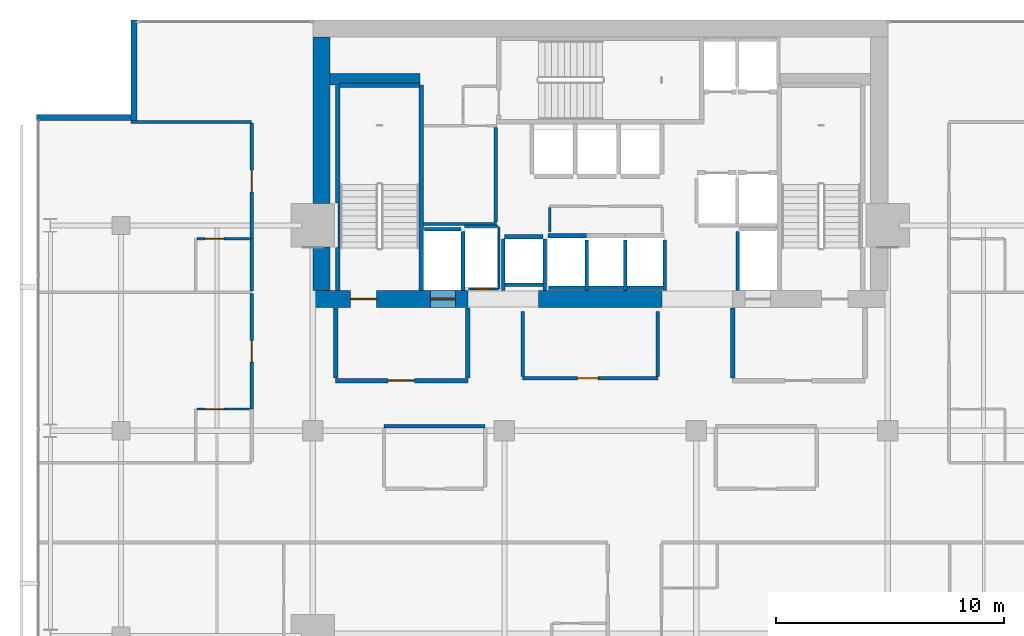
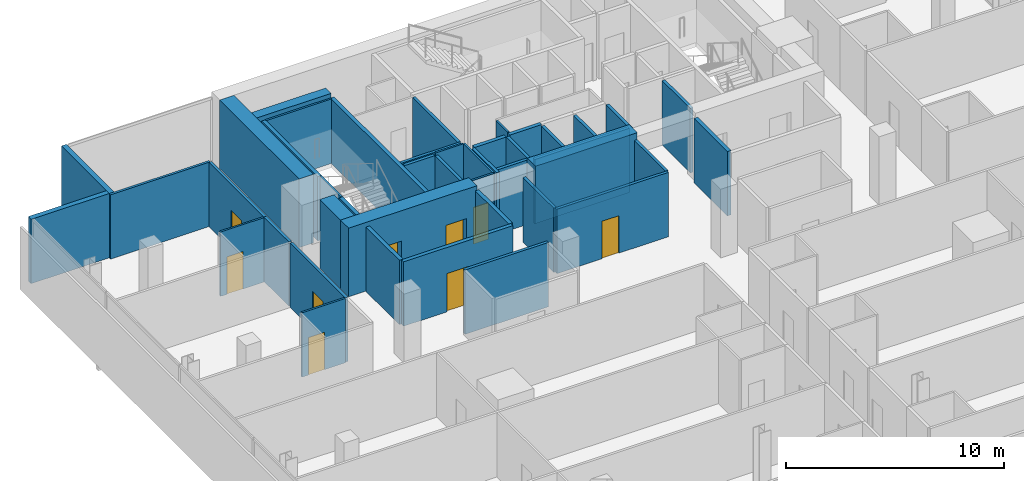
# One storey, part 29 of 33: 44 walls, 9 doors, 9 openings.
"""IFC4 building model written with IfcOpenShell, lengths in metres."""

import ifcopenshell
import ifcopenshell.guid

model = None  # the IFC model being written
_history = None  # IfcOwnerHistory: only IFC2X3 demands one
_inside = {}  # id of a spatial element -> (the spatial element, [elements in it])
_under = {}  # id of a project, library or spatial element -> (it, [spatial elements below it])
_declared = {}  # id of a project -> (the project, [libraries it declares])
_typed = {}  # id of a type object -> (the type object, [elements of that type])
_made_of = {}  # id of a material, layer set ... -> (it, [elements and type objects made of it])


def new_model(schema):
    """Start an empty IFC model of exactly this schema.

    Asked for "IFC4X3", IfcOpenShell would pick the latest addendum, in which some entities
    have other attributes; the version numbers below select the first issue.
    IFC2X3 requires an IfcOwnerHistory on every rooted entity: one is made here for all.
    """
    global model, _history
    if schema == "IFC4X3":
        model = ifcopenshell.file(schema_version=(4, 3, 0, 0))
    else:
        model = ifcopenshell.file(schema=schema)
    _inside.clear()
    _under.clear()
    _declared.clear()
    _typed.clear()
    _made_of.clear()
    _history = None
    if model.schema == "IFC2X3":
        org = make("IfcOrganization", Name="unknown")
        user = make(
            "IfcPersonAndOrganization",
            ThePerson=make("IfcPerson", FamilyName="unknown"),
            TheOrganization=org,
        )
        app = make(
            "IfcApplication",
            ApplicationDeveloper=org,
            Version="unknown",
            ApplicationFullName="unknown",
            ApplicationIdentifier="unknown",
        )
        _history = make(
            "IfcOwnerHistory",
            OwningUser=user,
            OwningApplication=app,
            ChangeAction="ADDED",
            CreationDate=0,
        )
    return model


def make(cls, **values):
    """One entity of the class cls with the attributes given. An attribute that is None is left unset."""
    return model.create_entity(
        cls, **{name: value for name, value in values.items() if value is not None}
    )


def rooted(cls, **values):
    """An entity with a GlobalId (a new one), such as an element, a storey or a relation."""
    return make(cls, GlobalId=ifcopenshell.guid.new(), OwnerHistory=_history, **values)


def si_unit(unit_type, name, prefix=None):
    """IfcSIUnit, for example si_unit("LENGTHUNIT", "METRE", prefix="MILLI")."""
    return make("IfcSIUnit", UnitType=unit_type, Prefix=prefix, Name=name)


def assignment(units):
    """IfcUnitAssignment: the units of a project."""
    return None if units is None else make("IfcUnitAssignment", Units=units)


def point(xyz):
    """IfcCartesianPoint."""
    return None if xyz is None else make("IfcCartesianPoint", Coordinates=xyz)


def direction(xyz):
    """IfcDirection."""
    return None if xyz is None else make("IfcDirection", DirectionRatios=xyz)


def frame(location, z_axis=None, x_axis=None):
    """IfcAxis2Placement3D, a coordinate frame: its origin and axes. An axis left out is left unset."""
    return make(
        "IfcAxis2Placement3D",
        Location=point(location),
        Axis=direction(z_axis),
        RefDirection=direction(x_axis),
    )


def frame_2d(location, x_axis=None):
    """IfcAxis2Placement2D, a coordinate frame in the plane: its origin and x axis."""
    return make(
        "IfcAxis2Placement2D", Location=point(location), RefDirection=direction(x_axis)
    )


def origin():
    """The frame at (0, 0, 0) with its axes left unset."""
    return frame((0.0, 0.0, 0.0))


def place(relative_to, where):
    """IfcLocalPlacement: puts the frame where relative to a parent placement (None: the world)."""
    return make(
        "IfcLocalPlacement", PlacementRelTo=relative_to, RelativePlacement=where
    )


def context(
    kind, dimensions, precision=None, world=None, true_north=None, identifier=None
):
    """IfcGeometricRepresentationContext, for example the 3D "Model" context."""
    return make(
        "IfcGeometricRepresentationContext",
        ContextIdentifier=identifier,
        ContextType=kind,
        CoordinateSpaceDimension=dimensions,
        Precision=precision,
        WorldCoordinateSystem=world,
        TrueNorth=true_north,
    )


def subcontext(parent, identifier, kind, view, scale=None):
    """IfcGeometricRepresentationSubContext, for example "Body" below "Model"."""
    return make(
        "IfcGeometricRepresentationSubContext",
        ContextIdentifier=identifier,
        ContextType=kind,
        ParentContext=parent,
        TargetScale=scale,
        TargetView=view,
    )


def project(units=None, contexts=None):
    """IfcProject with its units and contexts."""
    return rooted(
        "IfcProject",
        Name="project",
        RepresentationContexts=contexts,
        UnitsInContext=assignment(units),
    )


def spatial(cls, under=None, at=None, **own):
    """A site, building, storey or space (cls), placed at a placement, below another one or the project."""
    s = rooted(cls, ObjectPlacement=at, **own)
    if under is not None:
        _under.setdefault(under.id(), (under, []))[1].append(s)
    return s


def profile(cls, at=None, kind="AREA", **sizes):
    """A parametric profile (cls). Its sizes go by their IFC names, for example OverallWidth=200.0."""
    return make(cls, ProfileType=kind, Position=at, **sizes)


def rectangle(**sizes):
    """IfcRectangleProfileDef."""
    return profile("IfcRectangleProfileDef", **sizes)


def extrude(swept, where, along, depth):
    """IfcExtrudedAreaSolid: the profile swept, set in the frame where, extruded along a direction by depth."""
    return make(
        "IfcExtrudedAreaSolid",
        SweptArea=swept,
        Position=where,
        ExtrudedDirection=direction(along),
        Depth=depth,
    )


def shape(context_of_items, identifier, shape_type, items):
    """IfcShapeRepresentation: the items that make up one representation, for example the "Body"."""
    return make(
        "IfcShapeRepresentation",
        ContextOfItems=context_of_items,
        RepresentationIdentifier=identifier,
        RepresentationType=shape_type,
        Items=items,
    )


def material(Name=None, Category=None):
    """IfcMaterial."""
    return make("IfcMaterial", Name=Name, Category=Category)


def layer(
    of_material, thickness, ventilated=None, Name=None, Category=None, Priority=None
):
    """IfcMaterialLayer: one layer of a wall or slab, of a material (None: an air gap)."""
    return make(
        "IfcMaterialLayer",
        Material=of_material,
        LayerThickness=thickness,
        IsVentilated=ventilated,
        Name=Name,
        Category=Category,
        Priority=Priority,
    )


def layer_set(layers, Name=None):
    """IfcMaterialLayerSet."""
    return make("IfcMaterialLayerSet", MaterialLayers=layers, LayerSetName=Name)


def made_of(thing, what):
    """Note that an element or type object is made of a material, layer set ...; save() writes the relation."""
    if what is not None:
        _made_of.setdefault(what.id(), (what, []))[1].append(thing)
    return thing


def type_object(cls, material=None, **own):
    """A type object (cls), such as IfcWallType, which elements share."""
    return made_of(rooted(cls, **own), material)


def element(
    cls,
    number,
    at=None,
    inside=None,
    cuts=None,
    type_object=None,
    material=None,
    context=None,
    identifier="Body",
    shape_type=None,
    held_by="IfcProductDefinitionShape",
    body=None,
    shapes=None,
    **own,
):
    """One element of the class cls, such as IfcWall. Its Tag is "e" and its number.

    at: its placement. inside: the storey or other place that contains it. cuts: it is an
    opening in that element (IfcRelVoidsElement). A single representation is given by context,
    identifier, shape_type and body (its items); several are given by shapes. held_by: the class
    of the entity that holds the representations. save() writes the other relations.
    """
    e = rooted(cls, Tag="e%d" % number, ObjectPlacement=at, **own)
    if body is not None:
        shapes = [shape(context, identifier, shape_type, body)]
    if shapes is not None:
        e.Representation = make(held_by, Representations=shapes)
    if inside is not None:
        _inside.setdefault(inside.id(), (inside, []))[1].append(e)
    if cuts is not None:
        rooted(
            "IfcRelVoidsElement", RelatingBuildingElement=cuts, RelatedOpeningElement=e
        )
    if type_object is not None:
        _typed.setdefault(type_object.id(), (type_object, []))[1].append(e)
    return made_of(e, material)


def fill(opening, filler):
    """IfcRelFillsElement: the door or window that sits in an opening."""
    return rooted(
        "IfcRelFillsElement",
        RelatingOpeningElement=opening,
        RelatedBuildingElement=filler,
    )


def aggregate(whole, parts):
    """IfcRelAggregates: a whole, such as a stair, and the parts it consists of."""
    return rooted("IfcRelAggregates", RelatingObject=whole, RelatedObjects=parts)


def save(model, path):
    """Write the relations noted so far, then the file.

    IfcRelAggregates (storeys below a building ...), IfcRelContainedInSpatialStructure (elements
    in a storey), IfcRelDefinesByType, IfcRelAssociatesMaterial and IfcRelDeclares: one each for
    every whole, place, type object, material and project.
    """
    for whole, parts in _under.values():
        aggregate(whole, parts)
    for where, things in _inside.values():
        rooted(
            "IfcRelContainedInSpatialStructure",
            RelatedElements=things,
            RelatingStructure=where,
        )
    for kind, things in _typed.values():
        rooted("IfcRelDefinesByType", RelatedObjects=things, RelatingType=kind)
    for what, things in _made_of.values():
        rooted("IfcRelAssociatesMaterial", RelatedObjects=things, RelatingMaterial=what)
    for by, libraries in _declared.values():
        rooted("IfcRelDeclares", RelatingContext=by, RelatedDefinitions=libraries)
    model.write(path)


model = new_model("IFC4")

# Units and contexts
model_context = context("Model", 3, precision=1e-05, world=origin(), true_north=direction((0.0, 1.0)))
body_context = subcontext(model_context, "Body", "Model", "MODEL_VIEW")
ifc_project = project(units=[si_unit("LENGTHUNIT", "METRE"), si_unit("AREAUNIT", "SQUARE_METRE"), si_unit("VOLUMEUNIT", "CUBIC_METRE"), si_unit("PLANEANGLEUNIT", "RADIAN"), si_unit("MASSUNIT", "GRAM", prefix="KILO")], contexts=[model_context])

# Site, building, storey
site_placement = place(None, origin())
site = spatial("IfcSite", under=ifc_project, at=site_placement, CompositionType="ELEMENT")
building_placement = place(site_placement, origin())
building = spatial("IfcBuilding", under=site, at=building_placement, Name="Maruvema Waterfront Hotel and Observation Tower", CompositionType="ELEMENT")
storey_placement = place(building_placement, frame((0.0, 0.0, 150.5)))
storey = spatial("IfcBuildingStorey", under=building, at=storey_placement, Name="L36", CompositionType="ELEMENT", Elevation=150.5)

# Walls
ifc_material_1 = material(Name="Twin-stud acoustic gypsum drywall", Category="gypsum")
ifc_layer_1 = layer(ifc_material_1, 0.14990234375, Name="Acoustic Corridor and Suite Demising Wall 150 mm")
ifc_layer_set_1 = layer_set([ifc_layer_1], Name="Twin-stud acoustic gypsum drywall")
wall_type_1 = type_object("IfcWallType", Name="Acoustic Corridor and Suite Demising Wall 150 mm", PredefinedType="PARTITIONING", material=ifc_layer_set_1)
wall_1_placement = place(storey_placement, frame((30.06005859375, 45.06005859375, 0.0), z_axis=(0.0, 0.0, 1.0), x_axis=(1.0, 0.0, 0.0)))
element("IfcWall", 1, at=wall_1_placement, inside=storey, type_object=wall_type_1, Name="L36 Freed B1 South Wall 013", PredefinedType="PARTITIONING", context=body_context, shape_type="SweptSolid", body=[
    extrude(rectangle(XDim=3.179931640625, YDim=0.14990234375, at=frame_2d((1.58984375, 0.0))), origin(), (0.0, 0.0, 1.0), 3.610107421875),
])
wall_2_placement = place(storey_placement, frame((33.219970703125, 45.139892578125, 0.0), z_axis=(0.0, 0.0, 1.0), x_axis=(0.0, 1.0, 0.0)))
element("IfcWall", 2, at=wall_2_placement, inside=storey, type_object=wall_type_1, Name="L36 Freed B1 East Wall 014", PredefinedType="PARTITIONING", context=body_context, shape_type="SweptSolid", body=[
    extrude(rectangle(XDim=4.16015625, YDim=0.14990234375, at=frame_2d((2.080078125, 0.0))), origin(), (0.0, 0.0, 1.0), 3.610107421875),
])

# Wall, opening, door
wall_3_placement = place(storey_placement, frame((34.39990234375, 38.300048828125, 0.0), z_axis=(0.0, 0.0, 1.0), x_axis=(1.0, 0.0, 0.0)))
wall_3 = element("IfcWall", 3, at=wall_3_placement, inside=storey, type_object=wall_type_1, Name="L36 Core Apron K0 South 018", PredefinedType="PARTITIONING", context=body_context, shape_type="SweptSolid", body=[
    extrude(rectangle(XDim=5.920166015625, YDim=0.14990234375, at=frame_2d((2.9599609375, 0.0))), origin(), (0.0, 0.0, 1.0), 3.610107421875),
])
opening_1_placement = place(wall_3_placement, frame((2.39990234375, 0.0, 0.0)))
opening_1 = element("IfcOpeningElement", 4, at=opening_1_placement, cuts=wall_3, Name="Opening DR-090", PredefinedType="OPENING", context=body_context, shape_type="SweptSolid", body=[
    extrude(rectangle(XDim=0.89990234375, YDim=2.10009765625, at=frame_2d((0.449951171875, 1.050048828125))), frame((0.0, 0.0849609375, 0.0), z_axis=(0.0, -1.0, 0.0), x_axis=(1.0, 0.0, 0.0)), (0.0, 0.0, 1.0), 0.169921875),
])
ifc_material_2 = material(Name="Solid-core lacquered timber leaf", Category="wood")
door_type_1 = type_object("IfcDoorType", Name="Accessible Toilet and Room Door 900x2100 mm", OperationType="NOTDEFINED", PredefinedType="DOOR", material=ifc_material_2)
door_1_placement = place(opening_1_placement, frame((0.89990234375, 0.0, 0.0), z_axis=(0.0, 0.0, 1.0), x_axis=(-1.0, 0.0, 0.0)))
door_1 = element("IfcDoor", 5, at=door_1_placement, inside=storey, type_object=door_type_1, Name="L36 Core Valet Room Door", OperationType="SINGLE_SWING_RIGHT", OverallHeight=2.10009765625, OverallWidth=0.89990234375, PredefinedType="DOOR", context=body_context, shape_type="SweptSolid", body=[
    extrude(rectangle(XDim=0.89990234375, YDim=2.10009765625, at=frame_2d((0.449951171875, 1.050048828125))), frame((0.0, 0.02490234375, 0.0), z_axis=(0.0, -1.0, 0.0), x_axis=(1.0, 0.0, 0.0)), (0.0, 0.0, 1.0), 0.050048828125),
])
fill(opening_1, door_1)

# Walls
for number, where, z_axis, x_axis, name in (
    (6, (34.39990234375, 38.3798828125, 0.0), (0.0, 0.0, 1.0), (0.0, 1.0, 0.0), "L36 Core Apron K0 West 019"),
    (7, (40.320068359375, 38.3798828125, 0.0), (0.0, 0.0, 1.0), (0.0, 1.0, 0.0), "L36 Core Apron K0 East 020"),
):
    element("IfcWall", number, at=place(storey_placement, frame(where, z_axis=z_axis, x_axis=x_axis)), inside=storey, type_object=wall_type_1, Name=name, PredefinedType="PARTITIONING", context=body_context, shape_type="SweptSolid", body=[
        extrude(rectangle(XDim=2.840087890625, YDim=0.14990234375, at=frame_2d((1.419921875, 0.0))), origin(), (0.0, 0.0, 1.0), 3.610107421875),
    ])
wall_4_placement = place(storey_placement, frame((28.320068359375, 36.199951171875, 0.0), z_axis=(0.0, 0.0, 1.0), x_axis=(1.0, 0.0, 0.0)))
element("IfcWall", 8, at=wall_4_placement, inside=storey, type_object=wall_type_1, Name="L36 L36-M1 Back Wall 021", PredefinedType="PARTITIONING", context=body_context, shape_type="SweptSolid", body=[
    extrude(rectangle(XDim=4.429931640625, YDim=0.14990234375, at=frame_2d((2.21484375, 0.0))), origin(), (0.0, 0.0, 1.0), 3.610107421875),
])

# Wall, opening, door
wall_5_placement = place(storey_placement, frame((22.52001953125, 36.949951171875, 0.0), z_axis=(0.0, 0.0, 1.0), x_axis=(0.0, 1.0, 0.0)))
wall_5 = element("IfcWall", 9, at=wall_5_placement, inside=storey, type_object=wall_type_1, Name="L36 Room L36-NW1 Corridor Wall 103", PredefinedType="PARTITIONING", context=body_context, shape_type="SweptSolid", body=[
    extrude(rectangle(XDim=5.058837890625, YDim=0.14990234375, at=frame_2d((2.529296875, 0.0))), origin(), (0.0, 0.0, 1.0), 3.610107421875),
])
opening_2_placement = place(wall_5_placement, frame((2.054443359375, 0.0, 0.0)))
opening_2 = element("IfcOpeningElement", 10, at=opening_2_placement, cuts=wall_5, Name="Opening DR-095", PredefinedType="OPENING", context=body_context, shape_type="SweptSolid", body=[
    extrude(rectangle(XDim=0.949951171875, YDim=2.14990234375, at=frame_2d((0.47509765625, 1.074951171875))), frame((0.0, 0.0849609375, 0.0), z_axis=(0.0, -1.0, 0.0), x_axis=(1.0, 0.0, 0.0)), (0.0, 0.0, 1.0), 0.169921875),
])
ifc_material_3 = material(Name="Acoustic solid-core hardwood timber leaf", Category="wood")
door_type_2 = type_object("IfcDoorType", Name="Guestroom Entrance Fire Door 950x2150 mm", OperationType="NOTDEFINED", PredefinedType="DOOR", material=ifc_material_3)
door_2_placement = place(opening_2_placement, origin())
door_2 = element("IfcDoor", 11, at=door_2_placement, inside=storey, type_object=door_type_2, Name="L36 Room L36-NW1 Entrance Door", OperationType="SINGLE_SWING_RIGHT", OverallHeight=2.14990234375, OverallWidth=0.949951171875, PredefinedType="DOOR", context=body_context, shape_type="SweptSolid", body=[
    extrude(rectangle(XDim=0.949951171875, YDim=2.14990234375, at=frame_2d((0.47509765625, 1.074951171875))), frame((0.0, 0.02490234375, 0.0), z_axis=(0.0, -1.0, 0.0), x_axis=(1.0, 0.0, 0.0)), (0.0, 0.0, 1.0), 0.050048828125),
])
fill(opening_2, door_2)

# Wall
wall_6_placement = place(storey_placement, frame((22.52001953125, 42.12890625, 0.0), z_axis=(0.0, 0.0, 1.0), x_axis=(0.0, 1.0, 0.0)))
element("IfcWall", 12, at=wall_6_placement, inside=storey, type_object=wall_type_1, Name="L36 Bath L36-NW2 Wall 112", PredefinedType="PARTITIONING", context=body_context, shape_type="SweptSolid", body=[
    extrude(rectangle(XDim=2.289794921875, YDim=0.14990234375, at=frame_2d((1.14501953125, 0.0))), origin(), (0.0, 0.0, 1.0), 3.610107421875),
])

# Wall, opening, door
wall_7_placement = place(storey_placement, frame((22.52001953125, 44.418701171875, 0.0), z_axis=(0.0, 0.0, 1.0), x_axis=(0.0, 1.0, 0.0)))
wall_7 = element("IfcWall", 13, at=wall_7_placement, inside=storey, type_object=wall_type_1, Name="L36 Room L36-NW2 Corridor Wall 113", PredefinedType="PARTITIONING", context=body_context, shape_type="SweptSolid", body=[
    extrude(rectangle(XDim=5.058837890625, YDim=0.14990234375, at=frame_2d((2.529296875, 0.0))), origin(), (0.0, 0.0, 1.0), 3.610107421875),
])
opening_3_placement = place(wall_7_placement, frame((2.054443359375, 0.0, 0.0)))
opening_3 = element("IfcOpeningElement", 14, at=opening_3_placement, cuts=wall_7, Name="Opening DR-095", PredefinedType="OPENING", context=body_context, shape_type="SweptSolid", body=[
    extrude(rectangle(XDim=0.949951171875, YDim=2.14990234375, at=frame_2d((0.47509765625, 1.074951171875))), frame((0.0, 0.0849609375, 0.0), z_axis=(0.0, -1.0, 0.0), x_axis=(1.0, 0.0, 0.0)), (0.0, 0.0, 1.0), 0.169921875),
])
door_3_placement = place(opening_3_placement, origin())
door_3 = element("IfcDoor", 15, at=door_3_placement, inside=storey, type_object=door_type_2, Name="L36 Room L36-NW2 Entrance Door", OperationType="SINGLE_SWING_RIGHT", OverallHeight=2.14990234375, OverallWidth=0.949951171875, PredefinedType="DOOR", context=body_context, shape_type="SweptSolid", body=[
    extrude(rectangle(XDim=0.949951171875, YDim=2.14990234375, at=frame_2d((0.47509765625, 1.074951171875))), frame((0.0, 0.02490234375, 0.0), z_axis=(0.0, -1.0, 0.0), x_axis=(1.0, 0.0, 0.0)), (0.0, 0.0, 1.0), 0.050048828125),
])
fill(opening_3, door_3)

# Walls
ifc_material_4 = material(Name="Precast concrete C45/55", Category="concrete")
ifc_layer_2 = layer(ifc_material_4, 0.199951171875, Name="Core Shaft and Stairwell Enclosure Wall 200 mm")
ifc_layer_set_2 = layer_set([ifc_layer_2], Name="Precast concrete C45/55")
wall_type_2 = type_object("IfcWallType", Name="Core Shaft and Stairwell Enclosure Wall 200 mm", PredefinedType="SOLIDWALL", material=ifc_layer_set_2)
wall_8_placement = place(storey_placement, frame((29.949951171875, 42.14990234375, 0.0), z_axis=(0.0, 0.0, 1.0), x_axis=(0.0, 1.0, 0.0)))
element("IfcWall", 16, at=wall_8_placement, inside=storey, type_object=wall_type_2, Name="L36 Stairwell ST-01 East Shaft Wall", PredefinedType="SOLIDWALL", context=body_context, shape_type="SweptSolid", body=[
    extrude(rectangle(XDim=9.0, YDim=0.199951171875, at=frame_2d((4.5, 0.0))), origin(), (0.0, 0.0, 1.0), 3.610107421875),
])
wall_9_placement = place(storey_placement, frame((26.300048828125, 42.14990234375, 0.0), z_axis=(0.0, 0.0, 1.0), x_axis=(0.0, 1.0, 0.0)))
element("IfcWall", 17, at=wall_9_placement, inside=storey, type_object=wall_type_2, Name="L36 Stairwell ST-01 Shaft Lining Wall", PredefinedType="SOLIDWALL", context=body_context, shape_type="SweptSolid", body=[
    extrude(rectangle(XDim=1.8701171875, YDim=0.199951171875, at=frame_2d((0.93505859375, 0.0))), origin(), (0.0, 0.0, 1.0), 3.610107421875),
])
wall_10_placement = place(storey_placement, frame((26.300048828125, 45.97998046875, 0.0), z_axis=(0.0, 0.0, 1.0), x_axis=(0.0, 1.0, 0.0)))
element("IfcWall", 18, at=wall_10_placement, inside=storey, type_object=wall_type_2, Name="L36 Stairwell ST-01 Shaft Lining Wall", PredefinedType="SOLIDWALL", context=body_context, shape_type="SweptSolid", body=[
    extrude(rectangle(XDim=5.14013671875, YDim=0.199951171875, at=frame_2d((2.570068359375, 0.0))), origin(), (0.0, 0.0, 1.0), 3.610107421875),
])
wall_11_placement = place(storey_placement, frame((26.3798828125, 51.14990234375, 0.0), z_axis=(0.0, 0.0, 1.0), x_axis=(1.0, 0.0, 0.0)))
element("IfcWall", 19, at=wall_11_placement, inside=storey, type_object=wall_type_2, Name="L36 Stairwell ST-01 Shaft Lining Wall", PredefinedType="SOLIDWALL", context=body_context, shape_type="SweptSolid", body=[
    extrude(rectangle(XDim=3.5, YDim=0.199951171875, at=frame_2d((1.75, 0.0))), origin(), (0.0, 0.0, 1.0), 3.610107421875),
])
for number, where, z_axis, x_axis, name in (
    (20, (35.510009765625, 44.550048828125, 0.0), (0.0, 0.0, 1.0), (1.0, 0.0, 0.0), "L36 Lift LF-09 Hoistway Front Wall"),
    (21, (33.610107421875, 44.5, 0.0), (0.0, 0.0, 1.0), (1.0, 0.0, 0.0), "L36 Lift LF-15 Hoistway Front Wall"),
):
    element("IfcWall", number, at=place(storey_placement, frame(where, z_axis=z_axis, x_axis=x_axis)), inside=storey, type_object=wall_type_2, Name=name, PredefinedType="SOLIDWALL", context=body_context, shape_type="SweptSolid", body=[
        extrude(rectangle(XDim=1.679931640625, YDim=0.199951171875, at=frame_2d((0.83984375, 0.0))), origin(), (0.0, 0.0, 1.0), 3.610107421875),
    ])
ifc_material_5 = material(Name="Concrete C70/85", Category="concrete")
ifc_layer_3 = layer(ifc_material_5, 0.5, Name="Core Shear Wall 500 mm")
ifc_layer_set_3 = layer_set([ifc_layer_3], Name="Concrete C70/85")
wall_type_3 = type_object("IfcWallType", Name="Core Shear Wall 500 mm", PredefinedType="SHEAR", material=ifc_layer_set_3)
wall_12_placement = place(storey_placement, frame((25.949951171875, 51.39990234375, 0.0), z_axis=(0.0, 0.0, 1.0), x_axis=(1.0, 0.0, 0.0)))
element("IfcWall", 22, at=wall_12_placement, inside=storey, type_object=wall_type_3, Name="L36 Internal Core Shear Wall NW 500 mm", PredefinedType="SHEAR", context=body_context, shape_type="SweptSolid", body=[
    extrude(rectangle(XDim=3.949951171875, YDim=0.5, at=frame_2d((1.97509765625, 0.0))), origin(), (0.0, 0.0, 1.0), 3.85009765625),
])

# Wall, openings, doors
ifc_material_6 = material(Name="Concrete C70/85", Category="concrete")
ifc_layer_4 = layer(ifc_material_6, 0.75, Name="Core Shear Wall 750 mm")
ifc_layer_set_4 = layer_set([ifc_layer_4], Name="Concrete C70/85")
wall_type_4 = type_object("IfcWallType", Name="Core Shear Wall 750 mm", PredefinedType="SHEAR", material=ifc_layer_set_4)
wall_13_placement = place(storey_placement, frame((25.199951171875, 41.77490234375, 0.0), z_axis=(0.0, 0.0, 1.0), x_axis=(1.0, 0.0, 0.0)))
wall_13 = element("IfcWall", 23, at=wall_13_placement, inside=storey, type_object=wall_type_4, Name="L36 South-West Core Shear Wall", PredefinedType="SHEAR", context=body_context, shape_type="SweptSolid", body=[
    extrude(rectangle(XDim=6.800048828125, YDim=0.75, at=frame_2d((3.39990234375, 0.0))), origin(), (0.0, 0.0, 1.0), 3.85009765625),
])
opening_4_placement = place(wall_13_placement, frame((1.64990234375, 0.0, 0.0)))
opening_4 = element("IfcOpeningElement", 24, at=opening_4_placement, cuts=wall_13, Name="Opening SD-01", PredefinedType="OPENING", context=body_context, shape_type="SweptSolid", body=[
    extrude(rectangle(XDim=1.14990234375, YDim=2.14990234375, at=frame_2d((0.574951171875, 1.074951171875))), frame((0.0, 0.385009765625, 0.0), z_axis=(0.0, -1.0, 0.0), x_axis=(1.0, 0.0, 0.0)), (0.0, 0.0, 1.0), 0.77001953125),
])
opening_5_placement = place(wall_13_placement, frame((5.14990234375, 0.0, 0.0)))
opening_5 = element("IfcOpeningElement", 25, at=opening_5_placement, cuts=wall_13, Name="Opening LD-03", PredefinedType="OPENING", context=body_context, shape_type="SweptSolid", body=[
    extrude(rectangle(XDim=1.10009765625, YDim=2.199951171875, at=frame_2d((0.550048828125, 1.10009765625))), frame((0.0, 0.385009765625, 0.0), z_axis=(0.0, -1.0, 0.0), x_axis=(1.0, 0.0, 0.0)), (0.0, 0.0, 1.0), 0.77001953125),
])
ifc_material_7 = material(Name="Fire-rated galvanised steel leaf", Category="steel")
door_type_3 = type_object("IfcDoorType", Name="Exit Stair Fire Door 1150x2150 mm", OperationType="NOTDEFINED", PredefinedType="DOOR", material=ifc_material_7)
door_4_placement = place(opening_4_placement, origin())
door_4 = element("IfcDoor", 26, at=door_4_placement, inside=storey, type_object=door_type_3, Name="L36 Exit Stair ST-01 Fire Door", OperationType="SINGLE_SWING_LEFT", OverallHeight=2.14990234375, OverallWidth=1.14990234375, PredefinedType="DOOR", context=body_context, shape_type="SweptSolid", body=[
    extrude(rectangle(XDim=1.14990234375, YDim=2.14990234375, at=frame_2d((0.574951171875, 1.074951171875))), frame((0.0, 0.02490234375, 0.0), z_axis=(0.0, -1.0, 0.0), x_axis=(1.0, 0.0, 0.0)), (0.0, 0.0, 1.0), 0.050048828125),
])
fill(opening_4, door_4)
ifc_material_8 = material(Name="Brushed stainless steel Grade 316", Category="steel")
door_type_4 = type_object("IfcDoorType", Name="Firefighting Lift Sliding Landing Door 1100x2200 mm", OperationType="SLIDING_TO_LEFT", PredefinedType="DOOR", material=ifc_material_8)
door_5_placement = place(opening_5_placement, frame((1.10009765625, 0.0, 0.0), z_axis=(0.0, 0.0, 1.0), x_axis=(-1.0, 0.0, 0.0)))
door_5 = element("IfcDoor", 27, at=door_5_placement, inside=storey, type_object=door_type_4, Name="L36 Firefighting Lift FL-01 Landing Door", OperationType="SLIDING_TO_LEFT", OverallHeight=2.199951171875, OverallWidth=1.10009765625, PredefinedType="DOOR", context=body_context, shape_type="SweptSolid", body=[
    extrude(rectangle(XDim=1.10009765625, YDim=2.199951171875, at=frame_2d((0.550048828125, 1.10009765625))), frame((0.0, 0.02490234375, 0.0), z_axis=(0.0, -1.0, 0.0), x_axis=(1.0, 0.0, 0.0)), (0.0, 0.0, 1.0), 0.050048828125),
])
fill(opening_5, door_5)

# Walls
wall_14_placement = place(storey_placement, frame((35.10009765625, 41.77490234375, 0.0), z_axis=(0.0, 0.0, 1.0), x_axis=(1.0, 0.0, 0.0)))
element("IfcWall", 28, at=wall_14_placement, inside=storey, type_object=wall_type_4, Name="L36 South-Central Core Shear Wall", PredefinedType="SHEAR", context=body_context, shape_type="SweptSolid", body=[
    extrude(rectangle(XDim=5.39990234375, YDim=0.75, at=frame_2d((2.699951171875, 0.0))), origin(), (0.0, 0.0, 1.0), 3.85009765625),
])
wall_15_placement = place(storey_placement, frame((25.574951171875, 42.14990234375, 0.0), z_axis=(0.0, 0.0, 1.0), x_axis=(0.0, 1.0, 0.0)))
element("IfcWall", 29, at=wall_15_placement, inside=storey, type_object=wall_type_4, Name="L36 West-South Core Shear Wall", PredefinedType="SHEAR", context=body_context, shape_type="SweptSolid", body=[
    extrude(rectangle(XDim=1.900146484375, YDim=0.75, at=frame_2d((0.9501953125, 0.0))), origin(), (0.0, 0.0, 1.0), 3.85009765625),
])
wall_16_placement = place(storey_placement, frame((25.574951171875, 45.949951171875, 0.0), z_axis=(0.0, 0.0, 1.0), x_axis=(0.0, 1.0, 0.0)))
element("IfcWall", 30, at=wall_16_placement, inside=storey, type_object=wall_type_4, Name="L36 West-North Core Shear Wall", PredefinedType="SHEAR", context=body_context, shape_type="SweptSolid", body=[
    extrude(rectangle(XDim=7.300048828125, YDim=0.75, at=frame_2d((3.64990234375, 0.0))), origin(), (0.0, 0.0, 1.0), 3.85009765625),
])

# Wall, opening, door
ifc_material_9 = material(Name="Moisture-resistant cement-board drywall", Category="gypsum")
ifc_layer_5 = layer(ifc_material_9, 0.10009765625, Name="En-Suite Moisture-Resistant Partition 100 mm")
ifc_layer_set_5 = layer_set([ifc_layer_5], Name="Moisture-resistant cement-board drywall")
wall_type_5 = type_object("IfcWallType", Name="En-Suite Moisture-Resistant Partition 100 mm", PredefinedType="PARTITIONING", material=ifc_layer_set_5)
wall_17_placement = place(storey_placement, frame((32.02001953125, 42.2099609375, 0.0), z_axis=(0.0, 0.0, 1.0), x_axis=(1.0, 0.0, 0.0)))
wall_17 = element("IfcWall", 31, at=wall_17_placement, inside=storey, type_object=wall_type_5, Name="L36 Telecom Riser South Wall 007", PredefinedType="PARTITIONING", context=body_context, shape_type="SweptSolid", body=[
    extrude(rectangle(XDim=1.320068359375, YDim=0.10009765625, at=frame_2d((0.66015625, 0.0))), origin(), (0.0, 0.0, 1.0), 3.610107421875),
])
opening_6_placement = place(wall_17_placement, frame((0.239990234375, 0.0, 0.0)))
opening_6 = element("IfcOpeningElement", 32, at=opening_6_placement, cuts=wall_17, Name="Opening DR-080", PredefinedType="OPENING", context=body_context, shape_type="SweptSolid", body=[
    extrude(rectangle(XDim=0.800048828125, YDim=2.050048828125, at=frame_2d((0.39990234375, 1.02490234375))), frame((0.0, 0.06005859375, 0.0), z_axis=(0.0, -1.0, 0.0), x_axis=(1.0, 0.0, 0.0)), (0.0, 0.0, 1.0), 0.1201171875),
])
ifc_material_10 = material(Name="Powder-coated steel access leaf", Category="steel")
door_type_5 = type_object("IfcDoorType", Name="Riser and Service Cupboard Door 800x2050 mm", OperationType="NOTDEFINED", PredefinedType="DOOR", material=ifc_material_10)
door_6_placement = place(opening_6_placement, frame((0.800048828125, 0.0, 0.0), z_axis=(0.0, 0.0, 1.0), x_axis=(-1.0, 0.0, 0.0)))
door_6 = element("IfcDoor", 33, at=door_6_placement, inside=storey, type_object=door_type_5, Name="L36 Telecom Riser Door", OperationType="SINGLE_SWING_RIGHT", OverallHeight=2.050048828125, OverallWidth=0.800048828125, PredefinedType="DOOR", context=body_context, shape_type="SweptSolid", body=[
    extrude(rectangle(XDim=0.800048828125, YDim=2.050048828125, at=frame_2d((0.39990234375, 1.02490234375))), frame((0.0, 0.02490234375, 0.0), z_axis=(0.0, -1.0, 0.0), x_axis=(1.0, 0.0, 0.0)), (0.0, 0.0, 1.0), 0.050048828125),
])
fill(opening_6, door_6)

# Walls
wall_18_placement = place(storey_placement, frame((31.840087890625, 44.9599609375, 0.0), z_axis=(0.0, 0.0, 1.0), x_axis=(1.0, 0.0, 0.0)))
element("IfcWall", 34, at=wall_18_placement, inside=storey, type_object=wall_type_5, Name="L36 Telecom Riser North Wall 008", PredefinedType="PARTITIONING", context=body_context, shape_type="SweptSolid", body=[
    extrude(rectangle(XDim=1.47998046875, YDim=0.10009765625, at=frame_2d((0.739990234375, 0.0))), origin(), (0.0, 0.0, 1.0), 3.610107421875),
])
wall_19_placement = place(storey_placement, frame((33.360107421875, 42.2099609375, 0.0), z_axis=(0.0, 0.0, 1.0), x_axis=(0.0, 1.0, 0.0)))
element("IfcWall", 35, at=wall_19_placement, inside=storey, type_object=wall_type_5, Name="L36 Telecom Riser East Wall 009", PredefinedType="PARTITIONING", context=body_context, shape_type="SweptSolid", body=[
    extrude(rectangle(XDim=2.72998046875, YDim=0.10009765625, at=frame_2d((1.364990234375, 0.0))), origin(), (0.0, 0.0, 1.0), 3.610107421875),
])
wall_20_placement = place(storey_placement, frame((35.580078125, 44.699951171875, 0.0), z_axis=(0.0, 0.0, 1.0), x_axis=(0.0, 1.0, 0.0)))
element("IfcWall", 36, at=wall_20_placement, inside=storey, type_object=wall_type_5, Name="L36 Core Closet K0 West 011", PredefinedType="PARTITIONING", context=body_context, shape_type="SweptSolid", body=[
    extrude(rectangle(XDim=1.080078125, YDim=0.10009765625, at=frame_2d((0.5400390625, 0.0))), origin(), (0.0, 0.0, 1.0), 3.610107421875),
])

# Wall, opening, door
wall_21_placement = place(storey_placement, frame((20.1201171875, 36.949951171875, 0.0), z_axis=(0.0, 0.0, 1.0), x_axis=(1.0, 0.0, 0.0)))
wall_21 = element("IfcWall", 37, at=wall_21_placement, inside=storey, type_object=wall_type_5, Name="L36 En-Suite L36-NW1 N 105", PredefinedType="PARTITIONING", context=body_context, shape_type="SweptSolid", body=[
    extrude(rectangle(XDim=2.2998046875, YDim=0.10009765625, at=frame_2d((1.14990234375, 0.0))), origin(), (0.0, 0.0, 1.0), 3.610107421875),
])
opening_7_placement = place(wall_21_placement, frame((0.35009765625, 0.0, 0.0)))
opening_7 = element("IfcOpeningElement", 38, at=opening_7_placement, cuts=wall_21, Name="Opening DR-085", PredefinedType="OPENING", context=body_context, shape_type="SweptSolid", body=[
    extrude(rectangle(XDim=0.85009765625, YDim=2.10009765625, at=frame_2d((0.425048828125, 1.050048828125))), frame((0.0, 0.06005859375, 0.0), z_axis=(0.0, -1.0, 0.0), x_axis=(1.0, 0.0, 0.0)), (0.0, 0.0, 1.0), 0.1201171875),
])
ifc_material_11 = material(Name="Moisture-resistant solid timber leaf", Category="wood")
door_type_6 = type_object("IfcDoorType", Name="En-Suite Bathroom Door 850x2100 mm", OperationType="NOTDEFINED", PredefinedType="DOOR", material=ifc_material_11)
door_7_placement = place(opening_7_placement, origin())
door_7 = element("IfcDoor", 39, at=door_7_placement, inside=storey, type_object=door_type_6, Name="L36 En-Suite L36-NW1 Door", OperationType="SINGLE_SWING_LEFT", OverallHeight=2.10009765625, OverallWidth=0.85009765625, PredefinedType="DOOR", context=body_context, shape_type="SweptSolid", body=[
    extrude(rectangle(XDim=0.85009765625, YDim=2.10009765625, at=frame_2d((0.425048828125, 1.050048828125))), frame((0.0, 0.02490234375, 0.0), z_axis=(0.0, -1.0, 0.0), x_axis=(1.0, 0.0, 0.0)), (0.0, 0.0, 1.0), 0.050048828125),
])
fill(opening_7, door_7)

wall_22_placement = place(storey_placement, frame((20.1201171875, 44.418701171875, 0.0), z_axis=(0.0, 0.0, 1.0), x_axis=(1.0, 0.0, 0.0)))
wall_22 = element("IfcWall", 40, at=wall_22_placement, inside=storey, type_object=wall_type_5, Name="L36 En-Suite L36-NW2 N 115", PredefinedType="PARTITIONING", context=body_context, shape_type="SweptSolid", body=[
    extrude(rectangle(XDim=2.2998046875, YDim=0.10009765625, at=frame_2d((1.14990234375, 0.0))), origin(), (0.0, 0.0, 1.0), 3.610107421875),
])
opening_8_placement = place(wall_22_placement, frame((0.35009765625, 0.0, 0.0)))
opening_8 = element("IfcOpeningElement", 41, at=opening_8_placement, cuts=wall_22, Name="Opening DR-085", PredefinedType="OPENING", context=body_context, shape_type="SweptSolid", body=[
    extrude(rectangle(XDim=0.85009765625, YDim=2.10009765625, at=frame_2d((0.425048828125, 1.050048828125))), frame((0.0, 0.06005859375, 0.0), z_axis=(0.0, -1.0, 0.0), x_axis=(1.0, 0.0, 0.0)), (0.0, 0.0, 1.0), 0.1201171875),
])
door_8_placement = place(opening_8_placement, origin())
door_8 = element("IfcDoor", 42, at=door_8_placement, inside=storey, type_object=door_type_6, Name="L36 En-Suite L36-NW2 Door", OperationType="SINGLE_SWING_LEFT", OverallHeight=2.10009765625, OverallWidth=0.85009765625, PredefinedType="DOOR", context=body_context, shape_type="SweptSolid", body=[
    extrude(rectangle(XDim=0.85009765625, YDim=2.10009765625, at=frame_2d((0.425048828125, 1.050048828125))), frame((0.0, 0.02490234375, 0.0), z_axis=(0.0, -1.0, 0.0), x_axis=(1.0, 0.0, 0.0)), (0.0, 0.0, 1.0), 0.050048828125),
])
fill(opening_8, door_8)

# Walls
ifc_material_12 = material(Name="Precast concrete C45/55 with honed Pernambuco granite facing", Category="masonry")
ifc_layer_6 = layer(ifc_material_12, 0.260009765625, Name="Exterior Granite Clad Spandrel and Pier Wall 260 mm")
ifc_layer_set_6 = layer_set([ifc_layer_6], Name="Precast concrete C45/55 with honed Pernambuco granite facing")
wall_type_6 = type_object("IfcWallType", Name="Exterior Granite Clad Spandrel and Pier Wall 260 mm", PredefinedType="SOLIDWALL", material=ifc_layer_set_6)
for number, where, z_axis, x_axis, name in (
    (43, (17.3701171875, 49.60009765625, 0.0), (0.0, 0.0, 1.0), (0.0, 1.0, 0.0), "L36 Corner Notch Granite Pier Wall NW1"),
    (44, (13.10009765625, 49.72998046875, 0.0), (0.0, 0.0, 1.0), (1.0, 0.0, 0.0), "L36 Corner Notch Granite Pier Wall NW2"),
):
    element("IfcWall", number, at=place(storey_placement, frame(where, z_axis=z_axis, x_axis=x_axis)), inside=storey, type_object=wall_type_6, Name=name, PredefinedType="SOLIDWALL", context=body_context, shape_type="SweptSolid", body=[
        extrude(rectangle(XDim=4.39990234375, YDim=0.260009765625, at=frame_2d((2.199951171875, 0.0))), origin(), (0.0, 0.0, 1.0), 3.610107421875),
    ])

# Wall, opening, door
ifc_material_13 = material(Name="Autoclaved cellular concrete blockwork", Category="masonry")
ifc_layer_7 = layer(ifc_material_13, 0.199951171875, Name="Fire Compartment Masonry Wall 200 mm")
ifc_layer_set_7 = layer_set([ifc_layer_7], Name="Autoclaved cellular concrete blockwork")
wall_type_7 = type_object("IfcWallType", Name="Fire Compartment Masonry Wall 200 mm", PredefinedType="PARTITIONING", material=ifc_layer_set_7)
wall_23_placement = place(storey_placement, frame((26.199951171875, 38.199951171875, 0.0), z_axis=(0.0, 0.0, 1.0), x_axis=(1.0, 0.0, 0.0)))
wall_23 = element("IfcWall", 45, at=wall_23_placement, inside=storey, type_object=wall_type_7, Name="L36 FFL West South Wall 001", PredefinedType="PARTITIONING", context=body_context, shape_type="SweptSolid", body=[
    extrude(rectangle(XDim=5.800048828125, YDim=0.199951171875, at=frame_2d((2.89990234375, 0.0))), origin(), (0.0, 0.0, 1.0), 3.610107421875),
])
opening_9_placement = place(wall_23_placement, frame((2.300048828125, 0.0, 0.0)))
opening_9 = element("IfcOpeningElement", 46, at=opening_9_placement, cuts=wall_23, Name="Opening FD-115", PredefinedType="OPENING", context=body_context, shape_type="SweptSolid", body=[
    extrude(rectangle(XDim=1.14990234375, YDim=2.14990234375, at=frame_2d((0.574951171875, 1.074951171875))), frame((0.0, 0.10986328125, 0.0), z_axis=(0.0, -1.0, 0.0), x_axis=(1.0, 0.0, 0.0)), (0.0, 0.0, 1.0), 0.219970703125),
])
ifc_material_14 = material(Name="Fire-rated galvanised steel and vision glass", Category="steel")
door_type_7 = type_object("IfcDoorType", Name="Firefighting Lobby Fire Door 1150x2150 mm", OperationType="NOTDEFINED", PredefinedType="DOOR", material=ifc_material_14)
door_9_placement = place(opening_9_placement, frame((1.14990234375, 0.0, 0.0), z_axis=(0.0, 0.0, 1.0), x_axis=(-1.0, 0.0, 0.0)))
door_9 = element("IfcDoor", 47, at=door_9_placement, inside=storey, type_object=door_type_7, Name="L36 Firefighting Lobby West Door", OperationType="SINGLE_SWING_RIGHT", OverallHeight=2.14990234375, OverallWidth=1.14990234375, PredefinedType="DOOR", context=body_context, shape_type="SweptSolid", body=[
    extrude(rectangle(XDim=1.14990234375, YDim=2.14990234375, at=frame_2d((0.574951171875, 1.074951171875))), frame((0.0, 0.02490234375, 0.0), z_axis=(0.0, -1.0, 0.0), x_axis=(1.0, 0.0, 0.0)), (0.0, 0.0, 1.0), 0.050048828125),
])
fill(opening_9, door_9)

# Walls
for number, where, z_axis, x_axis, name in (
    (48, (26.199951171875, 38.31005859375, 0.0), (0.0, 0.0, 1.0), (0.0, 1.0, 0.0), "L36 FFL West West Wall 002"),
    (49, (32.0, 38.31005859375, 0.0), (0.0, 0.0, 1.0), (0.0, 1.0, 0.0), "L36 FFL West East Wall 003"),
    (50, (43.60009765625, 38.31005859375, 0.0), (0.0, 0.0, 1.0), (0.0, 1.0, 0.0), "L36 FFL East West Wall 005"),
):
    element("IfcWall", number, at=place(storey_placement, frame(where, z_axis=z_axis, x_axis=x_axis)), inside=storey, type_object=wall_type_7, Name=name, PredefinedType="PARTITIONING", context=body_context, shape_type="SweptSolid", body=[
        extrude(rectangle(XDim=3.06982421875, YDim=0.199951171875, at=frame_2d((1.534912109375, 0.0))), origin(), (0.0, 0.0, 1.0), 3.610107421875),
    ])
ifc_material_15 = material(Name="Acoustic gypsum plasterboard drywall", Category="gypsum")
ifc_layer_8 = layer(ifc_material_15, 0.125, Name="Guestroom Acoustic Demising Wall 125 mm")
ifc_layer_set_8 = layer_set([ifc_layer_8], Name="Acoustic gypsum plasterboard drywall")
wall_type_8 = type_object("IfcWallType", Name="Guestroom Acoustic Demising Wall 125 mm", PredefinedType="PARTITIONING", material=ifc_layer_set_8)
wall_24_placement = place(storey_placement, frame((17.239990234375, 49.53759765625, 0.0), z_axis=(0.0, 0.0, 1.0), x_axis=(1.0, 0.0, 0.0)))
element("IfcWall", 51, at=wall_24_placement, inside=storey, type_object=wall_type_8, Name="L36 Z2 NW Top End 100", PredefinedType="PARTITIONING", context=body_context, shape_type="SweptSolid", body=[
    extrude(rectangle(XDim=5.280029296875, YDim=0.125, at=frame_2d((2.64013671875, 0.0))), origin(), (0.0, 0.0, 1.0), 3.610107421875),
])
ifc_material_16 = material(Name="Precast concrete C45/55", Category="concrete")
ifc_layer_9 = layer(ifc_material_16, 0.159912109375, Name="Lift Hoistway Divider Wall 160 mm")
ifc_layer_set_9 = layer_set([ifc_layer_9], Name="Precast concrete C45/55")
wall_type_9 = type_object("IfcWallType", Name="Lift Hoistway Divider Wall 160 mm", PredefinedType="SOLIDWALL", material=ifc_layer_set_9)
wall_25_placement = place(storey_placement, frame((30.10009765625, 44.830078125, 0.0), z_axis=(0.0, 0.0, 1.0), x_axis=(1.0, 0.0, 0.0)))
element("IfcWall", 52, at=wall_25_placement, inside=storey, type_object=wall_type_9, Name="L36 Lift FL-01 Rear Hoistway Wall", PredefinedType="SOLIDWALL", context=body_context, shape_type="SweptSolid", body=[
    extrude(rectangle(XDim=1.599853515625, YDim=0.159912109375, at=frame_2d((0.7998046875, 0.0))), origin(), (0.0, 0.0, 1.0), 3.610107421875),
])
for number, where, z_axis, x_axis, name in (
    (53, (31.780029296875, 42.14990234375, 0.0), (0.0, 0.0, 1.0), (0.0, 1.0, 0.0), "L36 Lift FL-01 Inner Hoistway Wall"),
    (54, (43.820068359375, 42.14990234375, 0.0), (0.0, 0.0, 1.0), (0.0, 1.0, 0.0), "L36 Lift FL-02 Inner Hoistway Wall"),
):
    element("IfcWall", number, at=place(storey_placement, frame(where, z_axis=z_axis, x_axis=x_axis)), inside=storey, type_object=wall_type_9, Name=name, PredefinedType="SOLIDWALL", context=body_context, shape_type="SweptSolid", body=[
        extrude(rectangle(XDim=2.590087890625, YDim=0.159912109375, at=frame_2d((1.294921875, 0.0))), origin(), (0.0, 0.0, 1.0), 3.610107421875),
    ])
for number, where, z_axis, x_axis, name in (
    (55, (37.199951171875, 42.14990234375, 0.0), (0.0, 0.0, 1.0), (0.0, 1.0, 0.0), "L36 Hoistway Divider Wall"),
    (56, (38.89990234375, 42.14990234375, 0.0), (0.0, 0.0, 1.0), (0.0, 1.0, 0.0), "L36 Hoistway Divider Wall"),
    (57, (40.6201171875, 42.14990234375, 0.0), (0.0, 0.0, 1.0), (0.0, 1.0, 0.0), "L36 Hoistway Divider Wall"),
):
    element("IfcWall", number, at=place(storey_placement, frame(where, z_axis=z_axis, x_axis=x_axis)), inside=storey, type_object=wall_type_9, Name=name, PredefinedType="SOLIDWALL", context=body_context, shape_type="SweptSolid", body=[
        extrude(rectangle(XDim=2.2001953125, YDim=0.159912109375, at=frame_2d((1.10009765625, 0.0))), origin(), (0.0, 0.0, 1.0), 3.610107421875),
    ])
wall_26_placement = place(storey_placement, frame((35.52001953125, 42.260009765625, 0.0), z_axis=(0.0, 0.0, 1.0), x_axis=(1.0, 0.0, 0.0)))
element("IfcWall", 58, at=wall_26_placement, inside=storey, type_object=wall_type_9, Name="L36 Hoistway Divider Wall", PredefinedType="SOLIDWALL", context=body_context, shape_type="SweptSolid", body=[
    extrude(rectangle(XDim=5.02001953125, YDim=0.159912109375, at=frame_2d((2.510009765625, 0.0))), origin(), (0.0, 0.0, 1.0), 3.610107421875),
])
for number, where, z_axis, x_axis, name in (
    (59, (33.5400390625, 42.14990234375, 0.0), (0.0, 0.0, 1.0), (0.0, 1.0, 0.0), "L36 Hoistway Divider Wall"),
    (60, (35.360107421875, 42.14990234375, 0.0), (0.0, 0.0, 1.0), (0.0, 1.0, 0.0), "L36 Hoistway Divider Wall"),
):
    element("IfcWall", number, at=place(storey_placement, frame(where, z_axis=z_axis, x_axis=x_axis)), inside=storey, type_object=wall_type_9, Name=name, PredefinedType="SOLIDWALL", context=body_context, shape_type="SweptSolid", body=[
        extrude(rectangle(XDim=2.25, YDim=0.159912109375, at=frame_2d((1.125, 0.0))), origin(), (0.0, 0.0, 1.0), 3.610107421875),
    ])
wall_27_placement = place(storey_placement, frame((33.6201171875, 42.39990234375, 0.0), z_axis=(0.0, 0.0, 1.0), x_axis=(1.0, 0.0, 0.0)))
element("IfcWall", 61, at=wall_27_placement, inside=storey, type_object=wall_type_9, Name="L36 Hoistway Divider Wall", PredefinedType="SOLIDWALL", context=body_context, shape_type="SweptSolid", body=[
    extrude(rectangle(XDim=1.659912109375, YDim=0.159912109375, at=frame_2d((0.830078125, 0.0))), origin(), (0.0, 0.0, 1.0), 3.610107421875),
])
ifc_material_17 = material(Name="Precast concrete C45/55", Category="concrete")
ifc_layer_10 = layer(ifc_material_17, 0.10009765625, Name="Stairwell Stringer Cheek Wall 100 mm")
ifc_layer_set_10 = layer_set([ifc_layer_10], Name="Precast concrete C45/55")
wall_type_10 = type_object("IfcWallType", Name="Stairwell Stringer Cheek Wall 100 mm", PredefinedType="SOLIDWALL", material=ifc_layer_set_10)
wall_28_placement = place(storey_placement, frame((26.35205078125, 44.0400390625, 0.0), z_axis=(0.0, 0.0, 1.0), x_axis=(0.0, 1.0, 0.0)))
element("IfcWall", 62, at=wall_28_placement, inside=storey, type_object=wall_type_10, Name="L36 Stairwell ST-01 Mega-Column Cheek Wall", PredefinedType="SOLIDWALL", context=body_context, shape_type="SweptSolid", body=[
    extrude(rectangle(XDim=1.919921875, YDim=0.10009765625, at=frame_2d((0.9599609375, 0.0))), origin(), (0.0, 0.0, 1.0), 3.610107421875),
])

save(model, "model.ifc")
